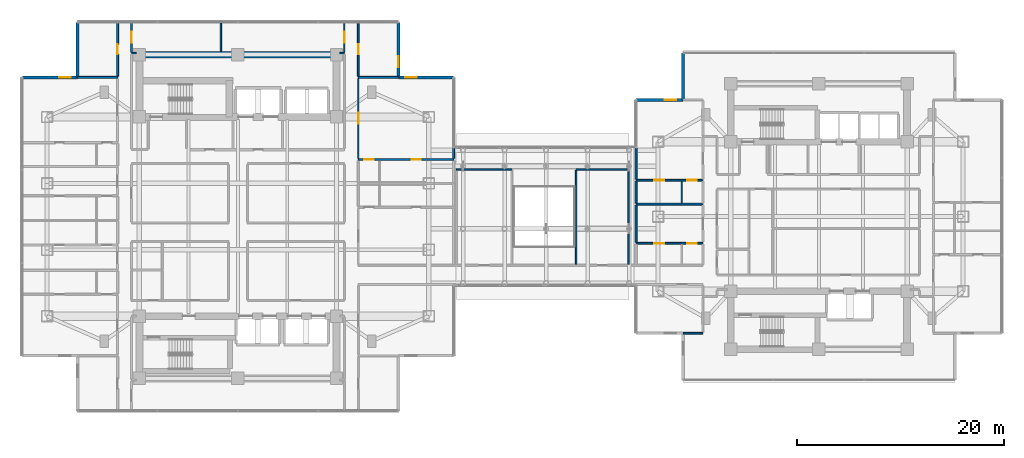
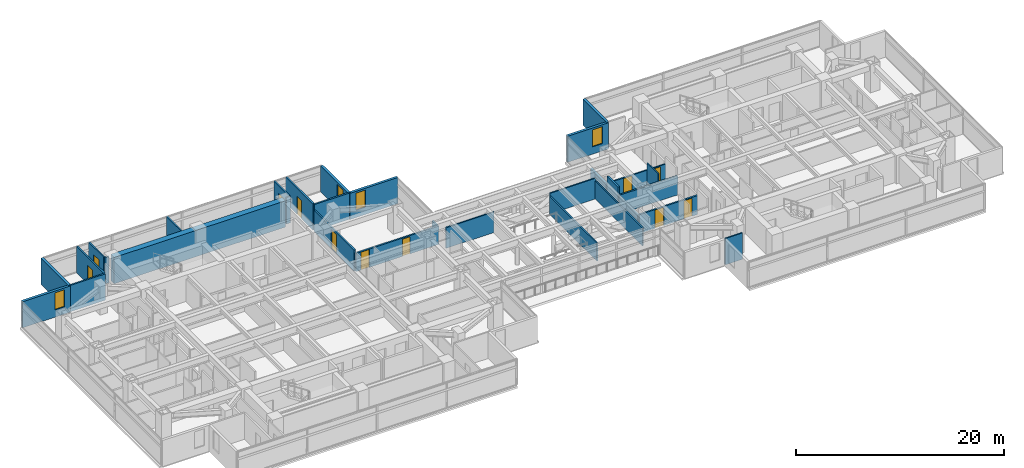
# One storey, part 18 of 27: 31 walls, 11 doors, 4 windows, 15 openings.
"""IFC4 building model written with IfcOpenShell, lengths in metres."""

import ifcopenshell
import ifcopenshell.guid

model = None  # the IFC model being written
_history = None  # IfcOwnerHistory: only IFC2X3 demands one
_inside = {}  # id of a spatial element -> (the spatial element, [elements in it])
_under = {}  # id of a project, library or spatial element -> (it, [spatial elements below it])
_declared = {}  # id of a project -> (the project, [libraries it declares])
_typed = {}  # id of a type object -> (the type object, [elements of that type])
_made_of = {}  # id of a material, layer set ... -> (it, [elements and type objects made of it])


def new_model(schema):
    """Start an empty IFC model of exactly this schema.

    Asked for "IFC4X3", IfcOpenShell would pick the latest addendum, in which some entities
    have other attributes; the version numbers below select the first issue.
    IFC2X3 requires an IfcOwnerHistory on every rooted entity: one is made here for all.
    """
    global model, _history
    if schema == "IFC4X3":
        model = ifcopenshell.file(schema_version=(4, 3, 0, 0))
    else:
        model = ifcopenshell.file(schema=schema)
    _inside.clear()
    _under.clear()
    _declared.clear()
    _typed.clear()
    _made_of.clear()
    _history = None
    if model.schema == "IFC2X3":
        org = make("IfcOrganization", Name="unknown")
        user = make(
            "IfcPersonAndOrganization",
            ThePerson=make("IfcPerson", FamilyName="unknown"),
            TheOrganization=org,
        )
        app = make(
            "IfcApplication",
            ApplicationDeveloper=org,
            Version="unknown",
            ApplicationFullName="unknown",
            ApplicationIdentifier="unknown",
        )
        _history = make(
            "IfcOwnerHistory",
            OwningUser=user,
            OwningApplication=app,
            ChangeAction="ADDED",
            CreationDate=0,
        )
    return model


def make(cls, **values):
    """One entity of the class cls with the attributes given. An attribute that is None is left unset."""
    return model.create_entity(
        cls, **{name: value for name, value in values.items() if value is not None}
    )


def rooted(cls, **values):
    """An entity with a GlobalId (a new one), such as an element, a storey or a relation."""
    return make(cls, GlobalId=ifcopenshell.guid.new(), OwnerHistory=_history, **values)


def si_unit(unit_type, name, prefix=None):
    """IfcSIUnit, for example si_unit("LENGTHUNIT", "METRE", prefix="MILLI")."""
    return make("IfcSIUnit", UnitType=unit_type, Prefix=prefix, Name=name)


def assignment(units):
    """IfcUnitAssignment: the units of a project."""
    return None if units is None else make("IfcUnitAssignment", Units=units)


def point(xyz):
    """IfcCartesianPoint."""
    return None if xyz is None else make("IfcCartesianPoint", Coordinates=xyz)


def direction(xyz):
    """IfcDirection."""
    return None if xyz is None else make("IfcDirection", DirectionRatios=xyz)


def frame(location, z_axis=None, x_axis=None):
    """IfcAxis2Placement3D, a coordinate frame: its origin and axes. An axis left out is left unset."""
    return make(
        "IfcAxis2Placement3D",
        Location=point(location),
        Axis=direction(z_axis),
        RefDirection=direction(x_axis),
    )


def frame_2d(location, x_axis=None):
    """IfcAxis2Placement2D, a coordinate frame in the plane: its origin and x axis."""
    return make(
        "IfcAxis2Placement2D", Location=point(location), RefDirection=direction(x_axis)
    )


def origin():
    """The frame at (0, 0, 0) with its axes left unset."""
    return frame((0.0, 0.0, 0.0))


def place(relative_to, where):
    """IfcLocalPlacement: puts the frame where relative to a parent placement (None: the world)."""
    return make(
        "IfcLocalPlacement", PlacementRelTo=relative_to, RelativePlacement=where
    )


def context(
    kind, dimensions, precision=None, world=None, true_north=None, identifier=None
):
    """IfcGeometricRepresentationContext, for example the 3D "Model" context."""
    return make(
        "IfcGeometricRepresentationContext",
        ContextIdentifier=identifier,
        ContextType=kind,
        CoordinateSpaceDimension=dimensions,
        Precision=precision,
        WorldCoordinateSystem=world,
        TrueNorth=true_north,
    )


def subcontext(parent, identifier, kind, view, scale=None):
    """IfcGeometricRepresentationSubContext, for example "Body" below "Model"."""
    return make(
        "IfcGeometricRepresentationSubContext",
        ContextIdentifier=identifier,
        ContextType=kind,
        ParentContext=parent,
        TargetScale=scale,
        TargetView=view,
    )


def project(units=None, contexts=None):
    """IfcProject with its units and contexts."""
    return rooted(
        "IfcProject",
        Name="project",
        RepresentationContexts=contexts,
        UnitsInContext=assignment(units),
    )


def spatial(cls, under=None, at=None, **own):
    """A site, building, storey or space (cls), placed at a placement, below another one or the project."""
    s = rooted(cls, ObjectPlacement=at, **own)
    if under is not None:
        _under.setdefault(under.id(), (under, []))[1].append(s)
    return s


def profile(cls, at=None, kind="AREA", **sizes):
    """A parametric profile (cls). Its sizes go by their IFC names, for example OverallWidth=200.0."""
    return make(cls, ProfileType=kind, Position=at, **sizes)


def rectangle(**sizes):
    """IfcRectangleProfileDef."""
    return profile("IfcRectangleProfileDef", **sizes)


def extrude(swept, where, along, depth):
    """IfcExtrudedAreaSolid: the profile swept, set in the frame where, extruded along a direction by depth."""
    return make(
        "IfcExtrudedAreaSolid",
        SweptArea=swept,
        Position=where,
        ExtrudedDirection=direction(along),
        Depth=depth,
    )


def shape(context_of_items, identifier, shape_type, items):
    """IfcShapeRepresentation: the items that make up one representation, for example the "Body"."""
    return make(
        "IfcShapeRepresentation",
        ContextOfItems=context_of_items,
        RepresentationIdentifier=identifier,
        RepresentationType=shape_type,
        Items=items,
    )


def material(Name=None, Category=None):
    """IfcMaterial."""
    return make("IfcMaterial", Name=Name, Category=Category)


def layer(
    of_material, thickness, ventilated=None, Name=None, Category=None, Priority=None
):
    """IfcMaterialLayer: one layer of a wall or slab, of a material (None: an air gap)."""
    return make(
        "IfcMaterialLayer",
        Material=of_material,
        LayerThickness=thickness,
        IsVentilated=ventilated,
        Name=Name,
        Category=Category,
        Priority=Priority,
    )


def layer_set(layers, Name=None):
    """IfcMaterialLayerSet."""
    return make("IfcMaterialLayerSet", MaterialLayers=layers, LayerSetName=Name)


def made_of(thing, what):
    """Note that an element or type object is made of a material, layer set ...; save() writes the relation."""
    if what is not None:
        _made_of.setdefault(what.id(), (what, []))[1].append(thing)
    return thing


def type_object(cls, material=None, **own):
    """A type object (cls), such as IfcWallType, which elements share."""
    return made_of(rooted(cls, **own), material)


def element(
    cls,
    number,
    at=None,
    inside=None,
    cuts=None,
    type_object=None,
    material=None,
    context=None,
    identifier="Body",
    shape_type=None,
    held_by="IfcProductDefinitionShape",
    body=None,
    shapes=None,
    **own,
):
    """One element of the class cls, such as IfcWall. Its Tag is "e" and its number.

    at: its placement. inside: the storey or other place that contains it. cuts: it is an
    opening in that element (IfcRelVoidsElement). A single representation is given by context,
    identifier, shape_type and body (its items); several are given by shapes. held_by: the class
    of the entity that holds the representations. save() writes the other relations.
    """
    e = rooted(cls, Tag="e%d" % number, ObjectPlacement=at, **own)
    if body is not None:
        shapes = [shape(context, identifier, shape_type, body)]
    if shapes is not None:
        e.Representation = make(held_by, Representations=shapes)
    if inside is not None:
        _inside.setdefault(inside.id(), (inside, []))[1].append(e)
    if cuts is not None:
        rooted(
            "IfcRelVoidsElement", RelatingBuildingElement=cuts, RelatedOpeningElement=e
        )
    if type_object is not None:
        _typed.setdefault(type_object.id(), (type_object, []))[1].append(e)
    return made_of(e, material)


def fill(opening, filler):
    """IfcRelFillsElement: the door or window that sits in an opening."""
    return rooted(
        "IfcRelFillsElement",
        RelatingOpeningElement=opening,
        RelatedBuildingElement=filler,
    )


def aggregate(whole, parts):
    """IfcRelAggregates: a whole, such as a stair, and the parts it consists of."""
    return rooted("IfcRelAggregates", RelatingObject=whole, RelatedObjects=parts)


def save(model, path):
    """Write the relations noted so far, then the file.

    IfcRelAggregates (storeys below a building ...), IfcRelContainedInSpatialStructure (elements
    in a storey), IfcRelDefinesByType, IfcRelAssociatesMaterial and IfcRelDeclares: one each for
    every whole, place, type object, material and project.
    """
    for whole, parts in _under.values():
        aggregate(whole, parts)
    for where, things in _inside.values():
        rooted(
            "IfcRelContainedInSpatialStructure",
            RelatedElements=things,
            RelatingStructure=where,
        )
    for kind, things in _typed.values():
        rooted("IfcRelDefinesByType", RelatedObjects=things, RelatingType=kind)
    for what, things in _made_of.values():
        rooted("IfcRelAssociatesMaterial", RelatedObjects=things, RelatingMaterial=what)
    for by, libraries in _declared.values():
        rooted("IfcRelDeclares", RelatingContext=by, RelatedDefinitions=libraries)
    model.write(path)


model = new_model("IFC4")

# Units and contexts
model_context = context("Model", 3, precision=1e-05, world=origin(), true_north=direction((0.0, 1.0)))
body_context = subcontext(model_context, "Body", "Model", "MODEL_VIEW")
ifc_project = project(units=[si_unit("LENGTHUNIT", "METRE"), si_unit("AREAUNIT", "SQUARE_METRE"), si_unit("VOLUMEUNIT", "CUBIC_METRE"), si_unit("PLANEANGLEUNIT", "RADIAN"), si_unit("MASSUNIT", "GRAM", prefix="KILO")], contexts=[model_context])

# Site, building, storey
site_placement = place(None, origin())
site = spatial("IfcSite", under=ifc_project, at=site_placement, CompositionType="ELEMENT")
building_placement = place(site_placement, origin())
building = spatial("IfcBuilding", under=site, at=building_placement, Name="Mirazonda Arch Towers", CompositionType="ELEMENT")
storey_placement = place(building_placement, frame((0.0, 0.0, 95.0)))
storey = spatial("IfcBuildingStorey", under=building, at=storey_placement, Name="L26", CompositionType="ELEMENT", Elevation=95.0)

# Wall
ifc_material_1 = material(Name="Concrete C60/75", Category="concrete")
ifc_layer_1 = layer(ifc_material_1, 0.64990234375, Name="WALL-CORE-650")
ifc_layer_set_1 = layer_set([ifc_layer_1], Name="Concrete C60/75")
wall_type_1 = type_object("IfcWallType", Name="WALL-CORE-650", PredefinedType="SHEAR", material=ifc_layer_set_1)
wall_1_placement = place(storey_placement, frame((11.0, 43.60009765625, 0.0), z_axis=(0.0, 0.0, 1.0), x_axis=(1.0, 0.0, 0.0)))
element("IfcWall", 1, at=wall_1_placement, inside=storey, type_object=wall_type_1, Name="L26 T1N-N Core Shear Wall", PredefinedType="SHEAR", context=body_context, shape_type="SweptSolid", body=[
    extrude(rectangle(XDim=19.0, YDim=0.64990234375, at=frame_2d((9.5, 0.0))), origin(), (0.0, 0.0, 1.0), 3.080078125),
])

# Wall, opening, window
ifc_material_2 = material(Name="Precast Concrete C40/50", Category="concrete")
ifc_layer_2 = layer(ifc_material_2, 0.280029296875, Name="WALL-EXT-WALL-280")
ifc_layer_set_2 = layer_set([ifc_layer_2], Name="Precast Concrete C40/50")
wall_type_2 = type_object("IfcWallType", Name="WALL-EXT-WALL-280", PredefinedType="SOLIDWALL", material=ifc_layer_set_2)
wall_2_placement = place(storey_placement, frame((35.985107421875, 41.4208984375, 0.0), z_axis=(0.0, 0.0, 1.0), x_axis=(0.0, 1.0, 0.0)))
wall_2 = element("IfcWall", 2, at=wall_2_placement, inside=storey, type_object=wall_type_2, Name="L26 T1 Notched NE Corner Wall WL-L26-T1-CNE", PredefinedType="SOLIDWALL", context=body_context, shape_type="SweptSolid", body=[
    extrude(rectangle(XDim=5.30517578125, YDim=0.280029296875, at=frame_2d((2.652587890625, 0.0))), origin(), (0.0, 0.0, 1.0), 3.06005859375),
])
opening_1_placement = place(wall_2_placement, frame((0.949951171875, 0.0, 0.85009765625)))
opening_1 = element("IfcOpeningElement", 3, at=opening_1_placement, cuts=wall_2, Name="Opening WN-108", PredefinedType="OPENING", context=body_context, shape_type="SweptSolid", body=[
    extrude(rectangle(XDim=1.10009765625, YDim=2.0, at=frame_2d((0.550048828125, 1.0))), frame((0.0, 0.14990234375, 0.0), z_axis=(0.0, -1.0, 0.0), x_axis=(1.0, 0.0, 0.0)), (0.0, 0.0, 1.0), 0.300048828125),
])
ifc_material_3 = material(Name="Insulated Low-E Solar Glass", Category="glass")
window_type = type_object("IfcWindowType", Name="WIN-NOTCH-1100x2000", PartitioningType="SINGLE_PANEL", PredefinedType="WINDOW", material=ifc_material_3)
window_1_placement = place(opening_1_placement, origin())
window_1 = element("IfcWindow", 4, at=window_1_placement, inside=storey, type_object=window_type, Name="L26 Punched Facade Window WN-L26-T1-CNE", OverallHeight=2.0, OverallWidth=1.10009765625, PartitioningType="SINGLE_PANEL", PredefinedType="WINDOW", context=body_context, shape_type="SweptSolid", body=[
    extrude(rectangle(XDim=1.10009765625, YDim=2.0, at=frame_2d((0.550048828125, 1.0))), frame((0.0, 0.030029296875, 0.0), z_axis=(0.0, -1.0, 0.0), x_axis=(1.0, 0.0, 0.0)), (0.0, 0.0, 1.0), 0.06005859375),
])
fill(opening_1, window_1)

wall_3_placement = place(storey_placement, frame((5.014892578125, 41.4208984375, 0.0), z_axis=(0.0, 0.0, 1.0), x_axis=(-1.0, 0.0, 0.0)))
wall_3 = element("IfcWall", 5, at=wall_3_placement, inside=storey, type_object=wall_type_2, Name="L26 T1 Corner Notch Return Wall WL-L26-T1-CNW1", PredefinedType="SOLIDWALL", context=body_context, shape_type="SweptSolid", body=[
    extrude(rectangle(XDim=5.304931640625, YDim=0.280029296875, at=frame_2d((2.65234375, 0.0))), origin(), (0.0, 0.0, 1.0), 3.06005859375),
])
opening_2_placement = place(wall_3_placement, frame((0.64990234375, 0.0, 0.85009765625)))
opening_2 = element("IfcOpeningElement", 6, at=opening_2_placement, cuts=wall_3, Name="Opening WN-108", PredefinedType="OPENING", context=body_context, shape_type="SweptSolid", body=[
    extrude(rectangle(XDim=1.10009765625, YDim=2.0, at=frame_2d((0.550048828125, 1.0))), frame((0.0, 0.14990234375, 0.0), z_axis=(0.0, -1.0, 0.0), x_axis=(1.0, 0.0, 0.0)), (0.0, 0.0, 1.0), 0.300048828125),
])
window_2_placement = place(opening_2_placement, origin())
window_2 = element("IfcWindow", 7, at=window_2_placement, inside=storey, type_object=window_type, Name="L26 Punched Facade Window WN-L26-T1-CNW1", OverallHeight=2.0, OverallWidth=1.10009765625, PartitioningType="SINGLE_PANEL", PredefinedType="WINDOW", context=body_context, shape_type="SweptSolid", body=[
    extrude(rectangle(XDim=1.10009765625, YDim=2.0, at=frame_2d((0.550048828125, 1.0))), frame((0.0, 0.030029296875, 0.0), z_axis=(0.0, -1.0, 0.0), x_axis=(1.0, 0.0, 0.0)), (0.0, 0.0, 1.0), 0.06005859375),
])
fill(opening_2, window_2)

# Wall
wall_4_placement = place(storey_placement, frame((5.014892578125, 46.72607421875, 0.0), z_axis=(0.0, 0.0, 1.0), x_axis=(0.0, -1.0, 0.0)))
element("IfcWall", 8, at=wall_4_placement, inside=storey, type_object=wall_type_2, Name="L26 T1 Corner Notch Return Wall WL-L26-T1-CNW2", PredefinedType="SOLIDWALL", context=body_context, shape_type="SweptSolid", body=[
    extrude(rectangle(XDim=5.30517578125, YDim=0.280029296875, at=frame_2d((2.652587890625, 0.0))), origin(), (0.0, 0.0, 1.0), 3.06005859375),
])

# Wall, opening, window
wall_5_placement = place(storey_placement, frame((41.2900390625, 41.4208984375, 0.0), z_axis=(0.0, 0.0, 1.0), x_axis=(-1.0, 0.0, 0.0)))
wall_5 = element("IfcWall", 9, at=wall_5_placement, inside=storey, type_object=wall_type_2, Name="L26 T1 Corner Notch Return Wall WL-L26-T1-CNE2", PredefinedType="SOLIDWALL", context=body_context, shape_type="SweptSolid", body=[
    extrude(rectangle(XDim=5.304931640625, YDim=0.280029296875, at=frame_2d((2.65234375, 0.0))), origin(), (0.0, 0.0, 1.0), 3.06005859375),
])
opening_3_placement = place(wall_5_placement, frame((3.554931640625, 0.0, 0.85009765625)))
opening_3 = element("IfcOpeningElement", 10, at=opening_3_placement, cuts=wall_5, Name="Opening WN-108", PredefinedType="OPENING", context=body_context, shape_type="SweptSolid", body=[
    extrude(rectangle(XDim=1.10009765625, YDim=2.0, at=frame_2d((0.550048828125, 1.0))), frame((0.0, 0.14990234375, 0.0), z_axis=(0.0, -1.0, 0.0), x_axis=(1.0, 0.0, 0.0)), (0.0, 0.0, 1.0), 0.300048828125),
])
window_3_placement = place(opening_3_placement, origin())
window_3 = element("IfcWindow", 11, at=window_3_placement, inside=storey, type_object=window_type, Name="L26 Punched Facade Window WN-L26-T1-CNE2", OverallHeight=2.0, OverallWidth=1.10009765625, PartitioningType="SINGLE_PANEL", PredefinedType="WINDOW", context=body_context, shape_type="SweptSolid", body=[
    extrude(rectangle(XDim=1.10009765625, YDim=2.0, at=frame_2d((0.550048828125, 1.0))), frame((0.0, 0.030029296875, 0.0), z_axis=(0.0, -1.0, 0.0), x_axis=(1.0, 0.0, 0.0)), (0.0, 0.0, 1.0), 0.06005859375),
])
fill(opening_3, window_3)

wall_6_placement = place(storey_placement, frame((63.397705078125, 39.247802734375, 0.0), z_axis=(0.0, 0.0, 1.0), x_axis=(-1.0, 0.0, 0.0)))
wall_6 = element("IfcWall", 12, at=wall_6_placement, inside=storey, type_object=wall_type_2, Name="L26 T2 Corner Notch Return Wall WL-L26-T2-CNW1", PredefinedType="SOLIDWALL", context=body_context, shape_type="SweptSolid", body=[
    extrude(rectangle(XDim=4.51611328125, YDim=0.280029296875, at=frame_2d((2.258056640625, 0.0))), origin(), (0.0, 0.0, 1.0), 3.06005859375),
])
opening_4_placement = place(wall_6_placement, frame((0.64990234375, 0.0, 0.85009765625)))
opening_4 = element("IfcOpeningElement", 13, at=opening_4_placement, cuts=wall_6, Name="Opening WN-108", PredefinedType="OPENING", context=body_context, shape_type="SweptSolid", body=[
    extrude(rectangle(XDim=1.10009765625, YDim=2.0, at=frame_2d((0.550048828125, 1.0))), frame((0.0, 0.14990234375, 0.0), z_axis=(0.0, -1.0, 0.0), x_axis=(1.0, 0.0, 0.0)), (0.0, 0.0, 1.0), 0.300048828125),
])
window_4_placement = place(opening_4_placement, origin())
window_4 = element("IfcWindow", 14, at=window_4_placement, inside=storey, type_object=window_type, Name="L26 Punched Facade Window WN-L26-T2-CNW1", OverallHeight=2.0, OverallWidth=1.10009765625, PartitioningType="SINGLE_PANEL", PredefinedType="WINDOW", context=body_context, shape_type="SweptSolid", body=[
    extrude(rectangle(XDim=1.10009765625, YDim=2.0, at=frame_2d((0.550048828125, 1.0))), frame((0.0, 0.030029296875, 0.0), z_axis=(0.0, -1.0, 0.0), x_axis=(1.0, 0.0, 0.0)), (0.0, 0.0, 1.0), 0.06005859375),
])
fill(opening_4, window_4)

# Walls
wall_7_placement = place(storey_placement, frame((63.397705078125, 43.76416015625, 0.0), z_axis=(0.0, 0.0, 1.0), x_axis=(0.0, -1.0, 0.0)))
element("IfcWall", 15, at=wall_7_placement, inside=storey, type_object=wall_type_2, Name="L26 T2 Corner Notch Return Wall WL-L26-T2-CNW2", PredefinedType="SOLIDWALL", context=body_context, shape_type="SweptSolid", body=[
    extrude(rectangle(XDim=4.516357421875, YDim=0.280029296875, at=frame_2d((2.25830078125, 0.0))), origin(), (0.0, 0.0, 1.0), 3.06005859375),
])
ifc_material_4 = material(Name="Fire-Rated Gypsum Stud Partition")
ifc_layer_3 = layer(ifc_material_4, 0.14990234375, Name="WALL-PART-CORR-150")
ifc_layer_set_3 = layer_set([ifc_layer_3], Name="Fire-Rated Gypsum Stud Partition")
wall_type_3 = type_object("IfcWallType", Name="WALL-PART-CORR-150", PredefinedType="PARTITIONING", material=ifc_layer_set_3)
wall_8_placement = place(storey_placement, frame((63.417724609375, 16.751953125, 0.0), z_axis=(0.0, 0.0, 1.0), x_axis=(1.0, 0.0, 0.0)))
element("IfcWall", 16, at=wall_8_placement, inside=storey, type_object=wall_type_3, Name="L26 Interior Partition 009", PredefinedType="PARTITIONING", context=body_context, shape_type="SweptSolid", body=[
    extrude(rectangle(XDim=1.90234375, YDim=0.14990234375, at=frame_2d((0.951171875, 0.0))), origin(), (0.0, 0.0, 1.0), 3.080078125),
])

# Wall, openings, doors
wall_9_placement = place(storey_placement, frame((58.881103515625, 31.5, 0.0), z_axis=(0.0, 0.0, 1.0), x_axis=(1.0, 0.0, 0.0)))
wall_9 = element("IfcWall", 17, at=wall_9_placement, inside=storey, type_object=wall_type_3, Name="L26 Interior Partition 045", PredefinedType="PARTITIONING", context=body_context, shape_type="SweptSolid", body=[
    extrude(rectangle(XDim=6.43896484375, YDim=0.14990234375, at=frame_2d((3.219482421875, 0.0))), origin(), (0.0, 0.0, 1.0), 2.216064453125),
])
opening_5_placement = place(wall_9_placement, frame((1.744384765625, 0.0, 0.0)))
opening_5 = element("IfcOpeningElement", 18, at=opening_5_placement, cuts=wall_9, Name="Opening DR-104", PredefinedType="OPENING", context=body_context, shape_type="SweptSolid", body=[
    extrude(rectangle(XDim=0.949951171875, YDim=2.14990234375, at=frame_2d((0.47509765625, 1.074951171875))), frame((0.0, 0.0849609375, 0.0), z_axis=(0.0, -1.0, 0.0), x_axis=(1.0, 0.0, 0.0)), (0.0, 0.0, 1.0), 0.169921875),
])
opening_6_placement = place(wall_9_placement, frame((4.948974609375, 0.0, 0.0)))
opening_6 = element("IfcOpeningElement", 19, at=opening_6_placement, cuts=wall_9, Name="Opening DR-120", PredefinedType="OPENING", context=body_context, shape_type="SweptSolid", body=[
    extrude(rectangle(XDim=0.89990234375, YDim=2.10009765625, at=frame_2d((0.449951171875, 1.050048828125))), frame((0.0, 0.0849609375, 0.0), z_axis=(0.0, -1.0, 0.0), x_axis=(1.0, 0.0, 0.0)), (0.0, 0.0, 1.0), 0.169921875),
])
ifc_material_5 = material(Name="Architectural Brushed Steel S355", Category="steel")
door_type_1 = type_object("IfcDoorType", Name="DOOR-ROOM-950", OperationType="NOTDEFINED", PredefinedType="DOOR", material=ifc_material_5)
door_1_placement = place(opening_5_placement, origin())
door_1 = element("IfcDoor", 20, at=door_1_placement, inside=storey, type_object=door_type_1, Name="L26 Guestroom Study 2 Door", OperationType="SINGLE_SWING_LEFT", OverallHeight=2.14990234375, OverallWidth=0.949951171875, PredefinedType="DOOR", context=body_context, shape_type="SweptSolid", body=[
    extrude(rectangle(XDim=0.949951171875, YDim=2.14990234375, at=frame_2d((0.47509765625, 1.074951171875))), frame((0.0, 0.02490234375, 0.0), z_axis=(0.0, -1.0, 0.0), x_axis=(1.0, 0.0, 0.0)), (0.0, 0.0, 1.0), 0.050048828125),
])
fill(opening_5, door_1)
door_type_2 = type_object("IfcDoorType", Name="DOOR-WC-900", OperationType="NOTDEFINED", PredefinedType="DOOR", material=ifc_material_5)
door_2_placement = place(opening_6_placement, origin())
door_2 = element("IfcDoor", 21, at=door_2_placement, inside=storey, type_object=door_type_2, Name="L26 En-Suite Bathroom 2 Door", OperationType="SINGLE_SWING_RIGHT", OverallHeight=2.10009765625, OverallWidth=0.89990234375, PredefinedType="DOOR", context=body_context, shape_type="SweptSolid", body=[
    extrude(rectangle(XDim=0.89990234375, YDim=2.10009765625, at=frame_2d((0.449951171875, 1.050048828125))), frame((0.0, 0.02490234375, 0.0), z_axis=(0.0, -1.0, 0.0), x_axis=(1.0, 0.0, 0.0)), (0.0, 0.0, 1.0), 0.050048828125),
])
fill(opening_6, door_2)

# Walls
wall_10_placement = place(storey_placement, frame((41.56005859375, 32.550048828125, 0.0), z_axis=(0.0, 0.0, 1.0), x_axis=(1.0, 0.0, 0.0)))
element("IfcWall", 22, at=wall_10_placement, inside=storey, type_object=wall_type_3, Name="L26 Interior Partition 048", PredefinedType="PARTITIONING", context=body_context, shape_type="SweptSolid", body=[
    extrude(rectangle(XDim=5.33984375, YDim=0.14990234375, at=frame_2d((2.669921875, 0.0))), origin(), (0.0, 0.0, 1.0), 2.416015625),
])
wall_11_placement = place(storey_placement, frame((53.10009765625, 32.550048828125, 0.0), z_axis=(0.0, 0.0, 1.0), x_axis=(1.0, 0.0, 0.0)))
element("IfcWall", 23, at=wall_11_placement, inside=storey, type_object=wall_type_3, Name="L26 Interior Partition 049", PredefinedType="PARTITIONING", context=body_context, shape_type="SweptSolid", body=[
    extrude(rectangle(XDim=5.060791015625, YDim=0.14990234375, at=frame_2d((2.5302734375, 0.0))), origin(), (0.0, 0.0, 1.0), 2.416015625),
])
for number, where, z_axis, x_axis, name in (
    (24, (10.239990234375, 43.75, 0.0), (0.0, 0.0, 1.0), (1.0, 0.0, 0.0), "L26 Interior Partition 068"),
    (25, (30.320068359375, 43.75, 0.0), (0.0, 0.0, 1.0), (1.0, 0.0, 0.0), "L26 Interior Partition 069"),
):
    element("IfcWall", number, at=place(storey_placement, frame(where, z_axis=z_axis, x_axis=x_axis)), inside=storey, type_object=wall_type_3, Name=name, PredefinedType="PARTITIONING", context=body_context, shape_type="SweptSolid", body=[
        extrude(rectangle(XDim=0.43994140625, YDim=0.14990234375, at=frame_2d((0.219970703125, 0.0))), origin(), (0.0, 0.0, 1.0), 3.080078125),
    ])

# Wall, opening, door
wall_12_placement = place(storey_placement, frame((10.239990234375, 43.8349609375, 0.0), z_axis=(0.0, 0.0, 1.0), x_axis=(0.0, 1.0, 0.0)))
wall_12 = element("IfcWall", 26, at=wall_12_placement, inside=storey, type_object=wall_type_3, Name="L26 Interior Partition 090", PredefinedType="PARTITIONING", context=body_context, shape_type="SweptSolid", body=[
    extrude(rectangle(XDim=2.89111328125, YDim=0.14990234375, at=frame_2d((1.445556640625, 0.0))), origin(), (0.0, 0.0, 1.0), 3.080078125),
])
opening_7_placement = place(wall_12_placement, frame((0.92041015625, 0.0, 0.0)))
opening_7 = element("IfcOpeningElement", 27, at=opening_7_placement, cuts=wall_12, Name="Opening DR-121", PredefinedType="OPENING", context=body_context, shape_type="SweptSolid", body=[
    extrude(rectangle(XDim=1.050048828125, YDim=2.199951171875, at=frame_2d((0.52490234375, 1.10009765625))), frame((0.0, 0.0849609375, 0.0), z_axis=(0.0, -1.0, 0.0), x_axis=(1.0, 0.0, 0.0)), (0.0, 0.0, 1.0), 0.169921875),
])
door_type_3 = type_object("IfcDoorType", Name="DOOR-SUITE-FD60-1050", OperationType="NOTDEFINED", PredefinedType="DOOR", material=ifc_material_5)
door_3_placement = place(opening_7_placement, origin())
door_3 = element("IfcDoor", 28, at=door_3_placement, inside=storey, type_object=door_type_3, Name="L26 North Reading Salon West Door", OperationType="SINGLE_SWING_RIGHT", OverallHeight=2.199951171875, OverallWidth=1.050048828125, PredefinedType="DOOR", context=body_context, shape_type="SweptSolid", body=[
    extrude(rectangle(XDim=1.050048828125, YDim=2.199951171875, at=frame_2d((0.52490234375, 1.10009765625))), frame((0.0, 0.02490234375, 0.0), z_axis=(0.0, -1.0, 0.0), x_axis=(1.0, 0.0, 0.0)), (0.0, 0.0, 1.0), 0.050048828125),
])
fill(opening_7, door_3)

# Wall
wall_13_placement = place(storey_placement, frame((18.85791015625, 43.919921875, 0.0), z_axis=(0.0, 0.0, 1.0), x_axis=(0.0, 1.0, 0.0)))
element("IfcWall", 29, at=wall_13_placement, inside=storey, type_object=wall_type_3, Name="L26 Interior Partition 095", PredefinedType="PARTITIONING", context=body_context, shape_type="SweptSolid", body=[
    extrude(rectangle(XDim=2.80615234375, YDim=0.14990234375, at=frame_2d((1.403076171875, 0.0))), origin(), (0.0, 0.0, 1.0), 3.080078125),
])

# Wall, opening, door
wall_14_placement = place(storey_placement, frame((30.760009765625, 43.8349609375, 0.0), z_axis=(0.0, 0.0, 1.0), x_axis=(0.0, 1.0, 0.0)))
wall_14 = element("IfcWall", 30, at=wall_14_placement, inside=storey, type_object=wall_type_3, Name="L26 Interior Partition 117", PredefinedType="PARTITIONING", context=body_context, shape_type="SweptSolid", body=[
    extrude(rectangle(XDim=2.89111328125, YDim=0.14990234375, at=frame_2d((1.445556640625, 0.0))), origin(), (0.0, 0.0, 1.0), 3.080078125),
])
opening_8_placement = place(wall_14_placement, frame((0.92041015625, 0.0, 0.0)))
opening_8 = element("IfcOpeningElement", 31, at=opening_8_placement, cuts=wall_14, Name="Opening DR-121", PredefinedType="OPENING", context=body_context, shape_type="SweptSolid", body=[
    extrude(rectangle(XDim=1.050048828125, YDim=2.199951171875, at=frame_2d((0.52490234375, 1.10009765625))), frame((0.0, 0.0849609375, 0.0), z_axis=(0.0, -1.0, 0.0), x_axis=(1.0, 0.0, 0.0)), (0.0, 0.0, 1.0), 0.169921875),
])
door_4_placement = place(opening_8_placement, origin())
door_4 = element("IfcDoor", 32, at=door_4_placement, inside=storey, type_object=door_type_3, Name="L26 North Reading Salon East Door", OperationType="SINGLE_SWING_LEFT", OverallHeight=2.199951171875, OverallWidth=1.050048828125, PredefinedType="DOOR", context=body_context, shape_type="SweptSolid", body=[
    extrude(rectangle(XDim=1.050048828125, YDim=2.199951171875, at=frame_2d((0.52490234375, 1.10009765625))), frame((0.0, 0.02490234375, 0.0), z_axis=(0.0, -1.0, 0.0), x_axis=(1.0, 0.0, 0.0)), (0.0, 0.0, 1.0), 0.050048828125),
])
fill(opening_8, door_4)

# Walls
for number, where, z_axis, x_axis, name in (
    (33, (53.10009765625, 23.39990234375, 0.0), (0.0, 0.0, 1.0), (0.0, 1.0, 0.0), "L26 Interior Partition 133"),
    (34, (58.160888671875, 23.39990234375, 0.0), (0.0, 0.0, 1.0), (0.0, 1.0, 0.0), "L26 Interior Partition 134"),
):
    element("IfcWall", number, at=place(storey_placement, frame(where, z_axis=z_axis, x_axis=x_axis)), inside=storey, type_object=wall_type_3, Name=name, PredefinedType="PARTITIONING", context=body_context, shape_type="SweptSolid", body=[
        extrude(rectangle(XDim=9.065185546875, YDim=0.14990234375, at=frame_2d((4.53271484375, 0.0))), origin(), (0.0, 0.0, 1.0), 2.10498046875),
    ])

# Wall, openings, doors
ifc_material_6 = material(Name="Fire-Rated Gypsum Twin-Stud Assembly")
ifc_layer_4 = layer(ifc_material_6, 0.179931640625, Name="WALL-PART-DEMISE-180")
ifc_layer_set_4 = layer_set([ifc_layer_4], Name="Fire-Rated Gypsum Twin-Stud Assembly")
wall_type_4 = type_object("IfcWallType", Name="WALL-PART-DEMISE-180", PredefinedType="PARTITIONING", material=ifc_layer_set_4)
wall_15_placement = place(storey_placement, frame((58.881103515625, 25.424072265625, 0.0), z_axis=(0.0, 0.0, 1.0), x_axis=(1.0, 0.0, 0.0)))
wall_15 = element("IfcWall", 35, at=wall_15_placement, inside=storey, type_object=wall_type_4, Name="L26 Interior Partition 033", PredefinedType="PARTITIONING", context=body_context, shape_type="SweptSolid", body=[
    extrude(rectangle(XDim=6.43896484375, YDim=0.179931640625, at=frame_2d((3.219482421875, 0.0))), origin(), (0.0, 0.0, 1.0), 2.216064453125),
])
opening_9_placement = place(wall_15_placement, frame((1.744384765625, 0.0, 0.0)))
opening_9 = element("IfcOpeningElement", 36, at=opening_9_placement, cuts=wall_15, Name="Opening DR-104", PredefinedType="OPENING", context=body_context, shape_type="SweptSolid", body=[
    extrude(rectangle(XDim=0.949951171875, YDim=2.14990234375, at=frame_2d((0.47509765625, 1.074951171875))), frame((0.0, 0.099853515625, 0.0), z_axis=(0.0, -1.0, 0.0), x_axis=(1.0, 0.0, 0.0)), (0.0, 0.0, 1.0), 0.199951171875),
])
opening_10_placement = place(wall_15_placement, frame((4.948974609375, 0.0, 0.0)))
opening_10 = element("IfcOpeningElement", 37, at=opening_10_placement, cuts=wall_15, Name="Opening DR-120", PredefinedType="OPENING", context=body_context, shape_type="SweptSolid", body=[
    extrude(rectangle(XDim=0.89990234375, YDim=2.10009765625, at=frame_2d((0.449951171875, 1.050048828125))), frame((0.0, 0.099853515625, 0.0), z_axis=(0.0, -1.0, 0.0), x_axis=(1.0, 0.0, 0.0)), (0.0, 0.0, 1.0), 0.199951171875),
])
door_5_placement = place(opening_9_placement, origin())
door_5 = element("IfcDoor", 38, at=door_5_placement, inside=storey, type_object=door_type_1, Name="L26 Guestroom Study 1 Door", OperationType="SINGLE_SWING_RIGHT", OverallHeight=2.14990234375, OverallWidth=0.949951171875, PredefinedType="DOOR", context=body_context, shape_type="SweptSolid", body=[
    extrude(rectangle(XDim=0.949951171875, YDim=2.14990234375, at=frame_2d((0.47509765625, 1.074951171875))), frame((0.0, 0.02490234375, 0.0), z_axis=(0.0, -1.0, 0.0), x_axis=(1.0, 0.0, 0.0)), (0.0, 0.0, 1.0), 0.050048828125),
])
fill(opening_9, door_5)
door_6_placement = place(opening_10_placement, origin())
door_6 = element("IfcDoor", 39, at=door_6_placement, inside=storey, type_object=door_type_2, Name="L26 En-Suite Bathroom 1 Door", OperationType="SINGLE_SWING_LEFT", OverallHeight=2.10009765625, OverallWidth=0.89990234375, PredefinedType="DOOR", context=body_context, shape_type="SweptSolid", body=[
    extrude(rectangle(XDim=0.89990234375, YDim=2.10009765625, at=frame_2d((0.449951171875, 1.050048828125))), frame((0.0, 0.02490234375, 0.0), z_axis=(0.0, -1.0, 0.0), x_axis=(1.0, 0.0, 0.0)), (0.0, 0.0, 1.0), 0.050048828125),
])
fill(opening_10, door_6)

# Wall
wall_16_placement = place(storey_placement, frame((58.881103515625, 29.199951171875, 0.0), z_axis=(0.0, 0.0, 1.0), x_axis=(1.0, 0.0, 0.0)))
element("IfcWall", 40, at=wall_16_placement, inside=storey, type_object=wall_type_4, Name="L26 Interior Partition 040", PredefinedType="PARTITIONING", context=body_context, shape_type="SweptSolid", body=[
    extrude(rectangle(XDim=6.43896484375, YDim=0.179931640625, at=frame_2d((3.219482421875, 0.0))), origin(), (0.0, 0.0, 1.0), 2.216064453125),
])

# Wall, openings, doors
wall_17_placement = place(storey_placement, frame((32.10009765625, 33.5, 0.0), z_axis=(0.0, 0.0, 1.0), x_axis=(1.0, 0.0, 0.0)))
wall_17 = element("IfcWall", 41, at=wall_17_placement, inside=storey, type_object=wall_type_4, Name="L26 Interior Partition 053", PredefinedType="PARTITIONING", context=body_context, shape_type="SweptSolid", body=[
    extrude(rectangle(XDim=9.18994140625, YDim=0.179931640625, at=frame_2d((4.594970703125, 0.0))), origin(), (0.0, 0.0, 1.0), 2.14501953125),
])
opening_11_placement = place(wall_17_placement, frame((5.169921875, 0.0, 0.0)))
opening_11 = element("IfcOpeningElement", 42, at=opening_11_placement, cuts=wall_17, Name="Opening DR-128", PredefinedType="OPENING", context=body_context, shape_type="SweptSolid", body=[
    extrude(rectangle(XDim=0.85009765625, YDim=2.010009765625, at=frame_2d((0.425048828125, 1.0048828125))), frame((0.0, 0.099853515625, 0.0), z_axis=(0.0, -1.0, 0.0), x_axis=(1.0, 0.0, 0.0)), (0.0, 0.0, 1.0), 0.199951171875),
])
opening_12_placement = place(wall_17_placement, frame((0.590087890625, 0.0, 0.0)))
opening_12 = element("IfcOpeningElement", 43, at=opening_12_placement, cuts=wall_17, Name="Opening DR-120", PredefinedType="OPENING", context=body_context, shape_type="SweptSolid", body=[
    extrude(rectangle(XDim=0.89990234375, YDim=2.10009765625, at=frame_2d((0.449951171875, 1.050048828125))), frame((0.0, 0.099853515625, 0.0), z_axis=(0.0, -1.0, 0.0), x_axis=(1.0, 0.0, 0.0)), (0.0, 0.0, 1.0), 0.199951171875),
])
door_type_4 = type_object("IfcDoorType", Name="DOOR-RISER-FD60-850", OperationType="NOTDEFINED", PredefinedType="DOOR", material=ifc_material_5)
door_7_placement = place(opening_11_placement, origin())
door_7 = element("IfcDoor", 44, at=door_7_placement, inside=storey, type_object=door_type_4, Name="L26 Suite Bedroom 2 Door", OperationType="SINGLE_SWING_LEFT", OverallHeight=2.010009765625, OverallWidth=0.85009765625, PredefinedType="DOOR", context=body_context, shape_type="SweptSolid", body=[
    extrude(rectangle(XDim=0.85009765625, YDim=2.010009765625, at=frame_2d((0.425048828125, 1.0048828125))), frame((0.0, 0.02490234375, 0.0), z_axis=(0.0, -1.0, 0.0), x_axis=(1.0, 0.0, 0.0)), (0.0, 0.0, 1.0), 0.050048828125),
])
fill(opening_11, door_7)
door_8_placement = place(opening_12_placement, origin())
door_8 = element("IfcDoor", 45, at=door_8_placement, inside=storey, type_object=door_type_2, Name="L26 Suite En-Suite Bathroom 2 Door", OperationType="SINGLE_SWING_RIGHT", OverallHeight=2.10009765625, OverallWidth=0.89990234375, PredefinedType="DOOR", context=body_context, shape_type="SweptSolid", body=[
    extrude(rectangle(XDim=0.89990234375, YDim=2.10009765625, at=frame_2d((0.449951171875, 1.050048828125))), frame((0.0, 0.02490234375, 0.0), z_axis=(0.0, -1.0, 0.0), x_axis=(1.0, 0.0, 0.0)), (0.0, 0.0, 1.0), 0.050048828125),
])
fill(opening_12, door_8)

# Walls
for number, where, z_axis, x_axis, name in (
    (46, (5.034912109375, 41.4208984375, 0.0), (0.0, 0.0, 1.0), (1.0, 0.0, 0.0), "L26 Interior Partition 066"),
    (47, (32.10009765625, 41.4208984375, 0.0), (0.0, 0.0, 1.0), (1.0, 0.0, 0.0), "L26 Interior Partition 067"),
):
    element("IfcWall", number, at=place(storey_placement, frame(where, z_axis=z_axis, x_axis=x_axis)), inside=storey, type_object=wall_type_4, Name=name, PredefinedType="PARTITIONING", context=body_context, shape_type="SweptSolid", body=[
        extrude(rectangle(XDim=3.864990234375, YDim=0.179931640625, at=frame_2d((1.9326171875, 0.0))), origin(), (0.0, 0.0, 1.0), 3.080078125),
    ])

# Wall, opening, door
wall_18_placement = place(storey_placement, frame((8.89990234375, 41.52099609375, 0.0), z_axis=(0.0, 0.0, 1.0), x_axis=(0.0, 1.0, 0.0)))
wall_18 = element("IfcWall", 48, at=wall_18_placement, inside=storey, type_object=wall_type_4, Name="L26 Interior Partition 083", PredefinedType="PARTITIONING", context=body_context, shape_type="SweptSolid", body=[
    extrude(rectangle(XDim=5.205078125, YDim=0.179931640625, at=frame_2d((2.6025390625, 0.0))), origin(), (0.0, 0.0, 1.0), 3.080078125),
])
opening_13_placement = place(wall_18_placement, frame((2.12744140625, 0.0, 0.0)))
opening_13 = element("IfcOpeningElement", 49, at=opening_13_placement, cuts=wall_18, Name="Opening DR-104", PredefinedType="OPENING", context=body_context, shape_type="SweptSolid", body=[
    extrude(rectangle(XDim=0.949951171875, YDim=2.14990234375, at=frame_2d((0.47509765625, 1.074951171875))), frame((0.0, 0.099853515625, 0.0), z_axis=(0.0, -1.0, 0.0), x_axis=(1.0, 0.0, 0.0)), (0.0, 0.0, 1.0), 0.199951171875),
])
door_9_placement = place(opening_13_placement, origin())
door_9 = element("IfcDoor", 50, at=door_9_placement, inside=storey, type_object=door_type_1, Name="L26 North Reading Salon Alcove West Door", OperationType="SINGLE_SWING_RIGHT", OverallHeight=2.14990234375, OverallWidth=0.949951171875, PredefinedType="DOOR", context=body_context, shape_type="SweptSolid", body=[
    extrude(rectangle(XDim=0.949951171875, YDim=2.14990234375, at=frame_2d((0.47509765625, 1.074951171875))), frame((0.0, 0.02490234375, 0.0), z_axis=(0.0, -1.0, 0.0), x_axis=(1.0, 0.0, 0.0)), (0.0, 0.0, 1.0), 0.050048828125),
])
fill(opening_13, door_9)

wall_19_placement = place(storey_placement, frame((32.10009765625, 33.60009765625, 0.0), z_axis=(0.0, 0.0, 1.0), x_axis=(0.0, 1.0, 0.0)))
wall_19 = element("IfcWall", 51, at=wall_19_placement, inside=storey, type_object=wall_type_4, Name="L26 Interior Partition 123", PredefinedType="PARTITIONING", context=body_context, shape_type="SweptSolid", body=[
    extrude(rectangle(XDim=7.720947265625, YDim=0.179931640625, at=frame_2d((3.8603515625, 0.0))), origin(), (0.0, 0.0, 1.0), 2.4560546875),
])
opening_14_placement = place(wall_19_placement, frame((3.33544921875, 0.0, 0.0)))
opening_14 = element("IfcOpeningElement", 52, at=opening_14_placement, cuts=wall_19, Name="Opening DR-121", PredefinedType="OPENING", context=body_context, shape_type="SweptSolid", body=[
    extrude(rectangle(XDim=1.050048828125, YDim=2.199951171875, at=frame_2d((0.52490234375, 1.10009765625))), frame((0.0, 0.099853515625, 0.0), z_axis=(0.0, -1.0, 0.0), x_axis=(1.0, 0.0, 0.0)), (0.0, 0.0, 1.0), 0.199951171875),
])
door_10_placement = place(opening_14_placement, origin())
door_10 = element("IfcDoor", 53, at=door_10_placement, inside=storey, type_object=door_type_3, Name="L26 Presidential Hotel Suite 2 Door", OperationType="SINGLE_SWING_RIGHT", OverallHeight=2.199951171875, OverallWidth=1.050048828125, PredefinedType="DOOR", context=body_context, shape_type="SweptSolid", body=[
    extrude(rectangle(XDim=1.050048828125, YDim=2.199951171875, at=frame_2d((0.52490234375, 1.10009765625))), frame((0.0, 0.02490234375, 0.0), z_axis=(0.0, -1.0, 0.0), x_axis=(1.0, 0.0, 0.0)), (0.0, 0.0, 1.0), 0.050048828125),
])
fill(opening_14, door_10)

wall_20_placement = place(storey_placement, frame((32.10009765625, 41.52099609375, 0.0), z_axis=(0.0, 0.0, 1.0), x_axis=(0.0, 1.0, 0.0)))
wall_20 = element("IfcWall", 54, at=wall_20_placement, inside=storey, type_object=wall_type_4, Name="L26 Interior Partition 124", PredefinedType="PARTITIONING", context=body_context, shape_type="SweptSolid", body=[
    extrude(rectangle(XDim=5.205078125, YDim=0.179931640625, at=frame_2d((2.6025390625, 0.0))), origin(), (0.0, 0.0, 1.0), 3.080078125),
])
opening_15_placement = place(wall_20_placement, frame((2.12744140625, 0.0, 0.0)))
opening_15 = element("IfcOpeningElement", 55, at=opening_15_placement, cuts=wall_20, Name="Opening DR-104", PredefinedType="OPENING", context=body_context, shape_type="SweptSolid", body=[
    extrude(rectangle(XDim=0.949951171875, YDim=2.14990234375, at=frame_2d((0.47509765625, 1.074951171875))), frame((0.0, 0.099853515625, 0.0), z_axis=(0.0, -1.0, 0.0), x_axis=(1.0, 0.0, 0.0)), (0.0, 0.0, 1.0), 0.199951171875),
])
door_11_placement = place(opening_15_placement, origin())
door_11 = element("IfcDoor", 56, at=door_11_placement, inside=storey, type_object=door_type_1, Name="L26 North Reading Salon Alcove East Door", OperationType="SINGLE_SWING_LEFT", OverallHeight=2.14990234375, OverallWidth=0.949951171875, PredefinedType="DOOR", context=body_context, shape_type="SweptSolid", body=[
    extrude(rectangle(XDim=0.949951171875, YDim=2.14990234375, at=frame_2d((0.47509765625, 1.074951171875))), frame((0.0, 0.02490234375, 0.0), z_axis=(0.0, -1.0, 0.0), x_axis=(1.0, 0.0, 0.0)), (0.0, 0.0, 1.0), 0.050048828125),
])
fill(opening_15, door_11)

# Walls
wall_21_placement = place(storey_placement, frame((41.2900390625, 33.60009765625, 0.0), z_axis=(0.0, 0.0, 1.0), x_axis=(0.0, 1.0, 0.0)))
element("IfcWall", 57, at=wall_21_placement, inside=storey, type_object=wall_type_4, Name="L26 Interior Partition 130", PredefinedType="PARTITIONING", context=body_context, shape_type="SweptSolid", body=[
    extrude(rectangle(XDim=0.989990234375, YDim=0.179931640625, at=frame_2d((0.4951171875, 0.0))), origin(), (0.0, 0.0, 1.0), 2.10498046875),
])
wall_22_placement = place(storey_placement, frame((58.881103515625, 25.52392578125, 0.0), z_axis=(0.0, 0.0, 1.0), x_axis=(0.0, 1.0, 0.0)))
element("IfcWall", 58, at=wall_22_placement, inside=storey, type_object=wall_type_4, Name="L26 Interior Partition 136", PredefinedType="PARTITIONING", context=body_context, shape_type="SweptSolid", body=[
    extrude(rectangle(XDim=3.576171875, YDim=0.179931640625, at=frame_2d((1.7880859375, 0.0))), origin(), (0.0, 0.0, 1.0), 2.10498046875),
])
wall_23_placement = place(storey_placement, frame((58.881103515625, 29.300048828125, 0.0), z_axis=(0.0, 0.0, 1.0), x_axis=(0.0, 1.0, 0.0)))
element("IfcWall", 59, at=wall_23_placement, inside=storey, type_object=wall_type_4, Name="L26 Interior Partition 137", PredefinedType="PARTITIONING", context=body_context, shape_type="SweptSolid", body=[
    extrude(rectangle(XDim=2.114990234375, YDim=0.179931640625, at=frame_2d((1.0576171875, 0.0))), origin(), (0.0, 0.0, 1.0), 3.080078125),
])
wall_24_placement = place(storey_placement, frame((58.881103515625, 31.5849609375, 0.0), z_axis=(0.0, 0.0, 1.0), x_axis=(0.0, 1.0, 0.0)))
element("IfcWall", 60, at=wall_24_placement, inside=storey, type_object=wall_type_4, Name="L26 Interior Partition 138", PredefinedType="PARTITIONING", context=body_context, shape_type="SweptSolid", body=[
    extrude(rectangle(XDim=3.005126953125, YDim=0.179931640625, at=frame_2d((1.50244140625, 0.0))), origin(), (0.0, 0.0, 1.0), 2.10498046875),
])
ifc_material_7 = material(Name="Acoustic Fire-Rated Gypsum Partition")
ifc_layer_5 = layer(ifc_material_7, 0.125, Name="WALL-PART-UNIT-125")
ifc_layer_set_5 = layer_set([ifc_layer_5], Name="Acoustic Fire-Rated Gypsum Partition")
wall_type_5 = type_object("IfcWallType", Name="WALL-PART-UNIT-125", PredefinedType="PARTITIONING", material=ifc_layer_set_5)
wall_25_placement = place(storey_placement, frame((63.280029296875, 29.300048828125, 0.0), z_axis=(0.0, 0.0, 1.0), x_axis=(0.0, 1.0, 0.0)))
element("IfcWall", 61, at=wall_25_placement, inside=storey, type_object=wall_type_5, Name="L26 Interior Partition 140", PredefinedType="PARTITIONING", context=body_context, shape_type="SweptSolid", body=[
    extrude(rectangle(XDim=2.114990234375, YDim=0.125, at=frame_2d((1.0576171875, 0.0))), origin(), (0.0, 0.0, 1.0), 3.080078125),
])

save(model, "model.ifc")
